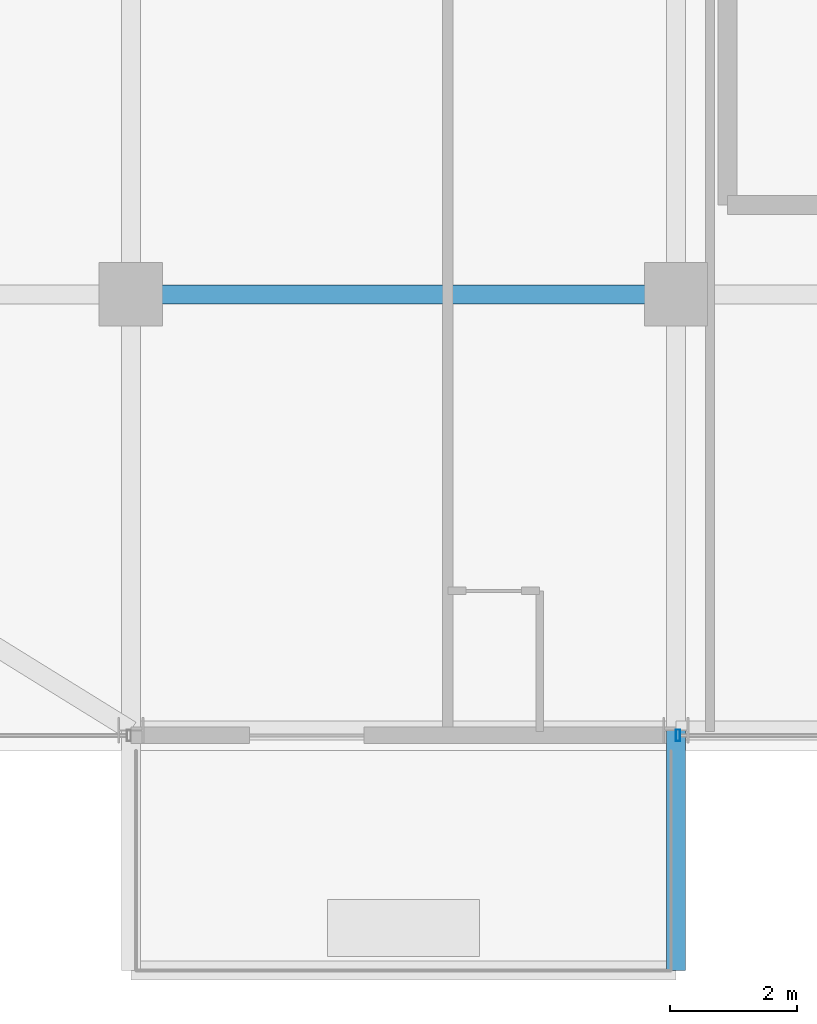
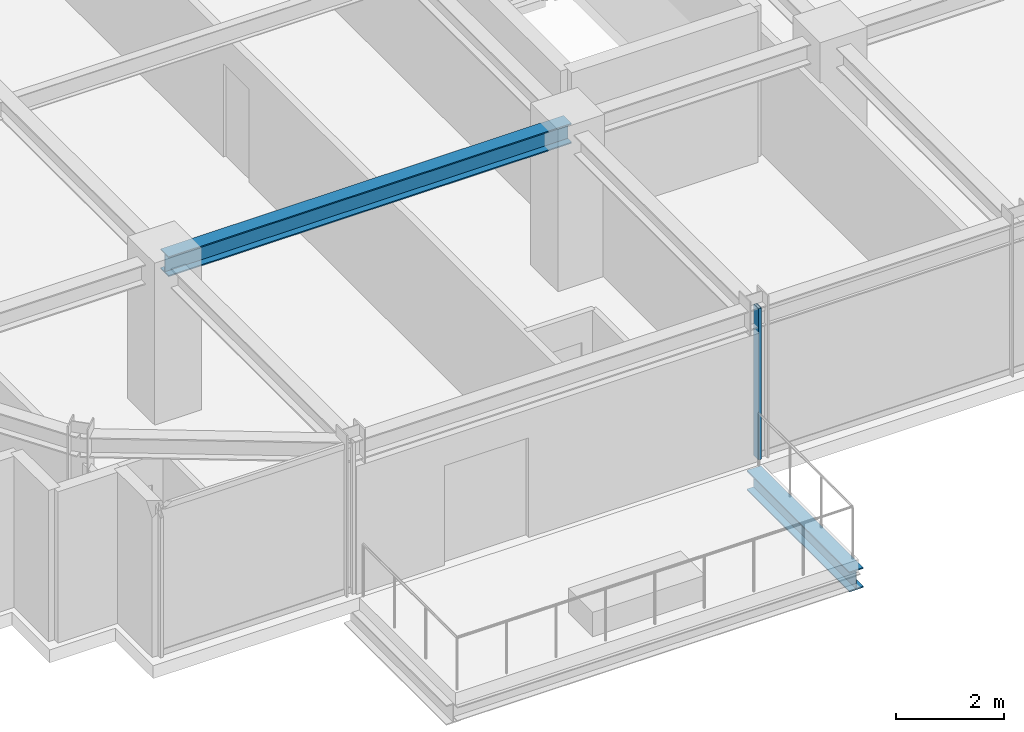
# One storey, part 6 of 35: 2 beams, 1 member, 1 element without a shape of its own.
"""IFC4 building model written with IfcOpenShell, lengths in metres."""

import ifcopenshell
import ifcopenshell.guid

model = None  # the IFC model being written
_history = None  # IfcOwnerHistory: only IFC2X3 demands one
_inside = {}  # id of a spatial element -> (the spatial element, [elements in it])
_under = {}  # id of a project, library or spatial element -> (it, [spatial elements below it])
_declared = {}  # id of a project -> (the project, [libraries it declares])
_typed = {}  # id of a type object -> (the type object, [elements of that type])
_made_of = {}  # id of a material, layer set ... -> (it, [elements and type objects made of it])


def new_model(schema):
    """Start an empty IFC model of exactly this schema.

    Asked for "IFC4X3", IfcOpenShell would pick the latest addendum, in which some entities
    have other attributes; the version numbers below select the first issue.
    IFC2X3 requires an IfcOwnerHistory on every rooted entity: one is made here for all.
    """
    global model, _history
    if schema == "IFC4X3":
        model = ifcopenshell.file(schema_version=(4, 3, 0, 0))
    else:
        model = ifcopenshell.file(schema=schema)
    _inside.clear()
    _under.clear()
    _declared.clear()
    _typed.clear()
    _made_of.clear()
    _history = None
    if model.schema == "IFC2X3":
        org = make("IfcOrganization", Name="unknown")
        user = make(
            "IfcPersonAndOrganization",
            ThePerson=make("IfcPerson", FamilyName="unknown"),
            TheOrganization=org,
        )
        app = make(
            "IfcApplication",
            ApplicationDeveloper=org,
            Version="unknown",
            ApplicationFullName="unknown",
            ApplicationIdentifier="unknown",
        )
        _history = make(
            "IfcOwnerHistory",
            OwningUser=user,
            OwningApplication=app,
            ChangeAction="ADDED",
            CreationDate=0,
        )
    return model


def make(cls, **values):
    """One entity of the class cls with the attributes given. An attribute that is None is left unset."""
    return model.create_entity(
        cls, **{name: value for name, value in values.items() if value is not None}
    )


def rooted(cls, **values):
    """An entity with a GlobalId (a new one), such as an element, a storey or a relation."""
    return make(cls, GlobalId=ifcopenshell.guid.new(), OwnerHistory=_history, **values)


def si_unit(unit_type, name, prefix=None):
    """IfcSIUnit, for example si_unit("LENGTHUNIT", "METRE", prefix="MILLI")."""
    return make("IfcSIUnit", UnitType=unit_type, Prefix=prefix, Name=name)


def assignment(units):
    """IfcUnitAssignment: the units of a project."""
    return None if units is None else make("IfcUnitAssignment", Units=units)


def point(xyz):
    """IfcCartesianPoint."""
    return None if xyz is None else make("IfcCartesianPoint", Coordinates=xyz)


def direction(xyz):
    """IfcDirection."""
    return None if xyz is None else make("IfcDirection", DirectionRatios=xyz)


def frame(location, z_axis=None, x_axis=None):
    """IfcAxis2Placement3D, a coordinate frame: its origin and axes. An axis left out is left unset."""
    return make(
        "IfcAxis2Placement3D",
        Location=point(location),
        Axis=direction(z_axis),
        RefDirection=direction(x_axis),
    )


def frame_2d(location, x_axis=None):
    """IfcAxis2Placement2D, a coordinate frame in the plane: its origin and x axis."""
    return make(
        "IfcAxis2Placement2D", Location=point(location), RefDirection=direction(x_axis)
    )


def origin():
    """The frame at (0, 0, 0) with its axes left unset."""
    return frame((0.0, 0.0, 0.0))


def origin_2d():
    """The frame at (0, 0) in the plane with its x axis left unset."""
    return frame_2d((0.0, 0.0))


def place(relative_to, where):
    """IfcLocalPlacement: puts the frame where relative to a parent placement (None: the world)."""
    return make(
        "IfcLocalPlacement", PlacementRelTo=relative_to, RelativePlacement=where
    )


def context(
    kind, dimensions, precision=None, world=None, true_north=None, identifier=None
):
    """IfcGeometricRepresentationContext, for example the 3D "Model" context."""
    return make(
        "IfcGeometricRepresentationContext",
        ContextIdentifier=identifier,
        ContextType=kind,
        CoordinateSpaceDimension=dimensions,
        Precision=precision,
        WorldCoordinateSystem=world,
        TrueNorth=true_north,
    )


def subcontext(parent, identifier, kind, view, scale=None):
    """IfcGeometricRepresentationSubContext, for example "Body" below "Model"."""
    return make(
        "IfcGeometricRepresentationSubContext",
        ContextIdentifier=identifier,
        ContextType=kind,
        ParentContext=parent,
        TargetScale=scale,
        TargetView=view,
    )


def project(units=None, contexts=None):
    """IfcProject with its units and contexts."""
    return rooted(
        "IfcProject",
        Name="project",
        RepresentationContexts=contexts,
        UnitsInContext=assignment(units),
    )


def spatial(cls, under=None, at=None, **own):
    """A site, building, storey or space (cls), placed at a placement, below another one or the project."""
    s = rooted(cls, ObjectPlacement=at, **own)
    if under is not None:
        _under.setdefault(under.id(), (under, []))[1].append(s)
    return s


def profile(cls, at=None, kind="AREA", **sizes):
    """A parametric profile (cls). Its sizes go by their IFC names, for example OverallWidth=200.0."""
    return make(cls, ProfileType=kind, Position=at, **sizes)


def hollow_rectangle(**sizes):
    """IfcRectangleHollowProfileDef."""
    return profile("IfcRectangleHollowProfileDef", **sizes)


def i_section(**sizes):
    """IfcIShapeProfileDef."""
    return profile("IfcIShapeProfileDef", **sizes)


def extrude(swept, where, along, depth):
    """IfcExtrudedAreaSolid: the profile swept, set in the frame where, extruded along a direction by depth."""
    return make(
        "IfcExtrudedAreaSolid",
        SweptArea=swept,
        Position=where,
        ExtrudedDirection=direction(along),
        Depth=depth,
    )


def shape(context_of_items, identifier, shape_type, items):
    """IfcShapeRepresentation: the items that make up one representation, for example the "Body"."""
    return make(
        "IfcShapeRepresentation",
        ContextOfItems=context_of_items,
        RepresentationIdentifier=identifier,
        RepresentationType=shape_type,
        Items=items,
    )


def source(mapping_origin, context_of_items, identifier, shape_type, items):
    """IfcRepresentationMap: a shape defined once, which mapped items show again and again."""
    return make(
        "IfcRepresentationMap",
        MappingOrigin=mapping_origin,
        MappedRepresentation=shape(context_of_items, identifier, shape_type, items),
    )


def transform(
    local_origin,
    x_axis=None,
    y_axis=None,
    z_axis=None,
    scale=None,
    scale2=None,
    scale3=None,
    uniform=True,
):
    """IfcCartesianTransformationOperator3D, or its non-uniform kind. x_axis, y_axis, z_axis: its Axis1, 2, 3."""
    if uniform:
        return make(
            "IfcCartesianTransformationOperator3D",
            Axis1=direction(x_axis),
            Axis2=direction(y_axis),
            LocalOrigin=point(local_origin),
            Scale=scale,
            Axis3=direction(z_axis),
        )
    return make(
        "IfcCartesianTransformationOperator3DnonUniform",
        Axis1=direction(x_axis),
        Axis2=direction(y_axis),
        LocalOrigin=point(local_origin),
        Scale=scale,
        Axis3=direction(z_axis),
        Scale2=scale2,
        Scale3=scale3,
    )


def mapped(mapping_source, mapping_target):
    """IfcMappedItem: shows the shape of a source again, moved by a transform."""
    return make(
        "IfcMappedItem", MappingSource=mapping_source, MappingTarget=mapping_target
    )


def material(Name=None, Category=None):
    """IfcMaterial."""
    return make("IfcMaterial", Name=Name, Category=Category)


def material_profile(
    of_material, cross_section, Name=None, Category=None, Priority=None
):
    """IfcMaterialProfile: a cross section and its material."""
    return make(
        "IfcMaterialProfile",
        Name=Name,
        Material=of_material,
        Profile=cross_section,
        Priority=Priority,
        Category=Category,
    )


def profile_set(profiles, Name=None, composite=None):
    """IfcMaterialProfileSet."""
    return make(
        "IfcMaterialProfileSet",
        Name=Name,
        MaterialProfiles=profiles,
        CompositeProfile=composite,
    )


def made_of(thing, what):
    """Note that an element or type object is made of a material, layer set ...; save() writes the relation."""
    if what is not None:
        _made_of.setdefault(what.id(), (what, []))[1].append(thing)
    return thing


def type_object(cls, material=None, **own):
    """A type object (cls), such as IfcWallType, which elements share."""
    return made_of(rooted(cls, **own), material)


def element(
    cls,
    number,
    at=None,
    inside=None,
    cuts=None,
    type_object=None,
    material=None,
    context=None,
    identifier="Body",
    shape_type=None,
    held_by="IfcProductDefinitionShape",
    body=None,
    shapes=None,
    **own,
):
    """One element of the class cls, such as IfcWall. Its Tag is "e" and its number.

    at: its placement. inside: the storey or other place that contains it. cuts: it is an
    opening in that element (IfcRelVoidsElement). A single representation is given by context,
    identifier, shape_type and body (its items); several are given by shapes. held_by: the class
    of the entity that holds the representations. save() writes the other relations.
    """
    e = rooted(cls, Tag="e%d" % number, ObjectPlacement=at, **own)
    if body is not None:
        shapes = [shape(context, identifier, shape_type, body)]
    if shapes is not None:
        e.Representation = make(held_by, Representations=shapes)
    if inside is not None:
        _inside.setdefault(inside.id(), (inside, []))[1].append(e)
    if cuts is not None:
        rooted(
            "IfcRelVoidsElement", RelatingBuildingElement=cuts, RelatedOpeningElement=e
        )
    if type_object is not None:
        _typed.setdefault(type_object.id(), (type_object, []))[1].append(e)
    return made_of(e, material)


def aggregate(whole, parts):
    """IfcRelAggregates: a whole, such as a stair, and the parts it consists of."""
    return rooted("IfcRelAggregates", RelatingObject=whole, RelatedObjects=parts)


def save(model, path):
    """Write the relations noted so far, then the file.

    IfcRelAggregates (storeys below a building ...), IfcRelContainedInSpatialStructure (elements
    in a storey), IfcRelDefinesByType, IfcRelAssociatesMaterial and IfcRelDeclares: one each for
    every whole, place, type object, material and project.
    """
    for whole, parts in _under.values():
        aggregate(whole, parts)
    for where, things in _inside.values():
        rooted(
            "IfcRelContainedInSpatialStructure",
            RelatedElements=things,
            RelatingStructure=where,
        )
    for kind, things in _typed.values():
        rooted("IfcRelDefinesByType", RelatedObjects=things, RelatingType=kind)
    for what, things in _made_of.values():
        rooted("IfcRelAssociatesMaterial", RelatedObjects=things, RelatingMaterial=what)
    for by, libraries in _declared.values():
        rooted("IfcRelDeclares", RelatingContext=by, RelatedDefinitions=libraries)
    model.write(path)


model = new_model("IFC4")

# Units and contexts
model_context = context("Model", 3, precision=1e-05, world=origin(), true_north=direction((0.0, 1.0)))
body_context = subcontext(model_context, "Body", "Model", "MODEL_VIEW")
ifc_project = project(units=[si_unit("LENGTHUNIT", "METRE"), si_unit("AREAUNIT", "SQUARE_METRE"), si_unit("VOLUMEUNIT", "CUBIC_METRE"), si_unit("PLANEANGLEUNIT", "RADIAN"), si_unit("MASSUNIT", "GRAM", prefix="KILO")], contexts=[model_context])

# Site, building, storey
site_placement = place(None, origin())
site = spatial("IfcSite", under=ifc_project, at=site_placement, CompositionType="ELEMENT")
building_placement = place(site_placement, origin())
building = spatial("IfcBuilding", under=site, at=building_placement, Name="Nahalor Promenade Grand Hotel", CompositionType="ELEMENT")
storey_placement = place(building_placement, frame((0.0, 0.0, 216.0)))
storey = spatial("IfcBuildingStorey", under=building, at=storey_placement, Name="L55", CompositionType="ELEMENT", Elevation=216.0)

# Beams
ifc_material_1 = material(Name="Steel S355JR", Category="steel")
ifc_material_profile_1 = material_profile(ifc_material_1, i_section(OverallWidth=0.3, OverallDepth=0.45, WebThickness=0.014, FlangeThickness=0.026, at=origin_2d()), Name="HEB 450")
ifc_profile_set_1 = profile_set([ifc_material_profile_1], Name="Steel S355JR")
beam_type_1 = type_object("IfcBeamType", Name="Beam-Outrigger-HEB450", PredefinedType="BEAM", material=ifc_profile_set_1)
shared_shape_1 = source(origin(), body_context, "Body", "SweptSolid", [
    extrude(i_section(OverallWidth=0.3, OverallDepth=0.45, WebThickness=0.014, FlangeThickness=0.026, at=origin_2d()), origin(), (0.0, 0.0, 1.0), 3.7900390625),
])
beam_1_placement = place(storey_placement, frame((-8.39990234375, -27.669921875, -0.5048828125), z_axis=(0.0, 1.0, 0.0), x_axis=(-1.0, 0.0, 0.0)))
element("IfcBeam", 1, at=beam_1_placement, inside=storey, type_object=beam_type_1, Name="BM-L55-BC-01-2", PredefinedType="BEAM", context=body_context, shape_type="MappedRepresentation", body=[
    mapped(shared_shape_1, transform((0.0, 0.0, 0.0), scale=1.0)),
])
ifc_material_profile_2 = material_profile(ifc_material_1, i_section(OverallWidth=0.3, OverallDepth=0.45, WebThickness=0.014, FlangeThickness=0.026, at=origin_2d()), Name="HEB 450")
ifc_profile_set_2 = profile_set([ifc_material_profile_2], Name="Steel S355JR")
beam_type_2 = type_object("IfcBeamType", Name="Beam-Girder-HEB450", PredefinedType="BEAM", material=ifc_profile_set_2)
shared_shape_2 = source(origin(), body_context, "Body", "SweptSolid", [
    extrude(i_section(OverallWidth=0.3, OverallDepth=0.45, WebThickness=0.014, FlangeThickness=0.026, at=origin_2d()), origin(), (0.0, 0.0, 1.0), 8.60009765625),
])
beam_2_placement = place(storey_placement, frame((-17.0, -17.0, 3.18505859375), z_axis=(1.0, 0.0, 0.0), x_axis=(0.0, 1.0, 0.0)))
element("IfcBeam", 2, at=beam_2_placement, inside=storey, type_object=beam_type_2, Name="BM-L55-GX-0-1", PredefinedType="BEAM", context=body_context, shape_type="MappedRepresentation", body=[
    mapped(shared_shape_2, transform((0.0, 0.0, 0.0), scale=1.0)),
])

# Curtain wall, member
ifc_material_2 = material(Name="Anodised Bronze Aluminium EN AW-6063 T6", Category="aluminium")
curtain_wall_type = type_object("IfcCurtainWallType", Name="CW2 Typical Hotel Flush Bronze Unitised Curtain Wall", PredefinedType="USERDEFINED", material=ifc_material_2)
curtain_wall_placement = place(storey_placement, origin())
curtain_wall = element("IfcCurtainWall", 3, at=curtain_wall_placement, inside=storey, type_object=curtain_wall_type, Name="L55 Curtain Wall CW-L55-S-3", ObjectType="UNITISED_CURTAIN_WALL", PredefinedType="USERDEFINED")
ifc_material_profile_3 = material_profile(ifc_material_2, hollow_rectangle(XDim=0.065, YDim=0.18, WallThickness=0.004, at=origin_2d()), Name="CWM 65x180x4")
ifc_profile_set_3 = profile_set([ifc_material_profile_3], Name="Anodised Bronze Aluminium EN AW-6063 T6")
member_type = type_object("IfcMemberType", Name="CWM2 Typical Bronze Mullion 65x180", PredefinedType="MULLION", material=ifc_profile_set_3)
shared_shape_3 = source(origin(), body_context, "Body", "SweptSolid", [
    extrude(hollow_rectangle(XDim=0.065, YDim=0.18, WallThickness=0.004, at=origin_2d()), origin(), (0.0, 0.0, 1.0), 3.409912109375),
])
member_placement = place(storey_placement, frame((-8.367431640625, -23.9599609375, 0.0), z_axis=(0.0, 0.0, 1.0), x_axis=(1.0, 0.0, 0.0)))
member = element("IfcMember", 4, at=member_placement, type_object=member_type, Name="CW-L55-S-3 Mullion 0", PredefinedType="MULLION", context=body_context, shape_type="MappedRepresentation", body=[
    mapped(shared_shape_3, transform((0.0, 0.0, 0.0), scale=1.0)),
])
aggregate(curtain_wall, [member])

save(model, "model.ifc")
